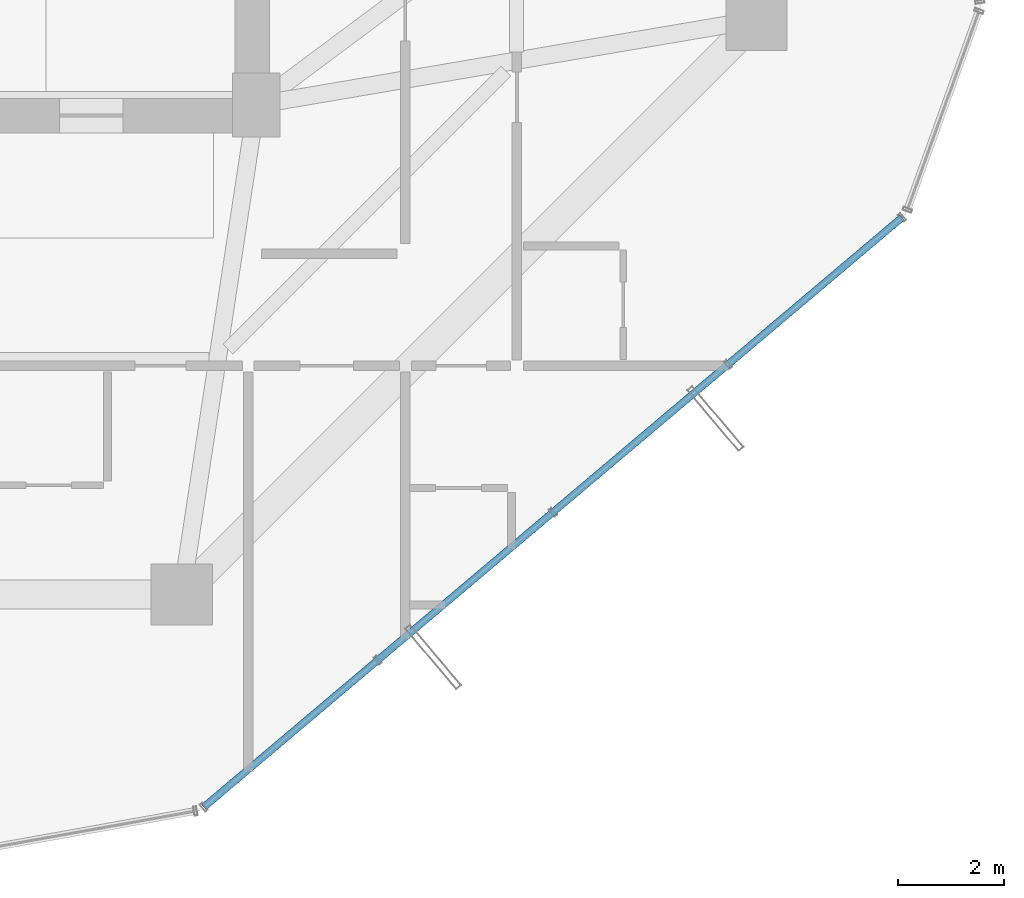
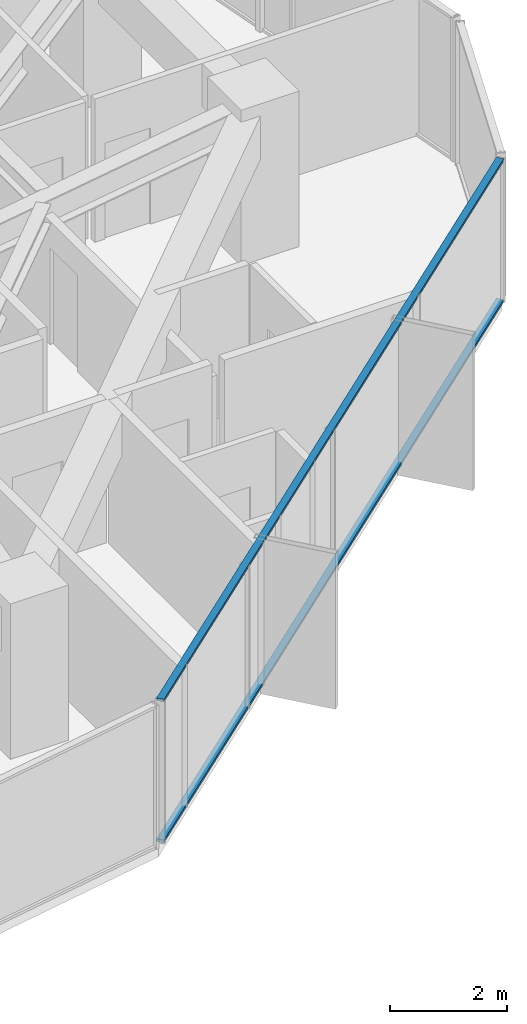
# One storey, part 16 of 36: 2 members, 1 element without a shape of its own.
"""IFC4 building model written with IfcOpenShell, lengths in metres."""

from ifc_helpers import new_model, si_unit, direction, frame, origin, origin_2d, place, context, subcontext, project, spatial, hollow_rectangle, extrude, source, transform, mapped, material, layer, layer_set, material_profile, profile_set, type_object, element, aggregate, save


model = new_model("IFC4")

# Units and contexts
model_context = context("Model", 3, precision=1e-05, world=origin(), true_north=direction((0.0, 1.0)))
body_context = subcontext(model_context, "Body", "Model", "MODEL_VIEW")
ifc_project = project(units=[si_unit("LENGTHUNIT", "METRE"), si_unit("AREAUNIT", "SQUARE_METRE"), si_unit("VOLUMEUNIT", "CUBIC_METRE"), si_unit("PLANEANGLEUNIT", "RADIAN"), si_unit("MASSUNIT", "GRAM", prefix="KILO")], contexts=[model_context])

# Site, building, storey
site_placement = place(None, origin())
site = spatial("IfcSite", under=ifc_project, at=site_placement, CompositionType="ELEMENT")
building_placement = place(site_placement, origin())
building = spatial("IfcBuilding", under=site, at=building_placement, Name="Veraguas Prism Commons", CompositionType="ELEMENT")
storey_placement = place(building_placement, frame((0.0, 0.0, 163.050048828125)))
storey = spatial("IfcBuildingStorey", under=building, at=storey_placement, Name="L46", CompositionType="ELEMENT", Elevation=163.050048828125)

# Curtain wall, members
ifc_material = material(Name="Anodised aluminium EN AW-6063 T6", Category="aluminium")
ifc_layer = layer(ifc_material, 0.169921875, Name="Unitised Flush Curtain Wall Zone 2", Category="aluminium")
ifc_layer_set = layer_set([ifc_layer], Name="Anodised aluminium EN AW-6063 T6")
curtain_wall_type = type_object("IfcCurtainWallType", Name="Unitised Flush Curtain Wall Zone 2", PredefinedType="NOTDEFINED", material=ifc_layer_set)
curtain_wall_placement = place(storey_placement, origin())
curtain_wall = element("IfcCurtainWall", 1, at=curtain_wall_placement, inside=storey, type_object=curtain_wall_type, Name="Tower Facade Curtain Wall L46-F5", PredefinedType="NOTDEFINED")
ifc_material_profile = material_profile(ifc_material, hollow_rectangle(XDim=0.054931640625, YDim=0.135009765625, WallThickness=0.0029296875, at=origin_2d()), Name="AL55X135X3")
ifc_profile_set = profile_set([ifc_material_profile], Name="Anodised aluminium EN AW-6063 T6")
member_type = type_object("IfcMemberType", Name="Curtain Wall Transom Standard AL 55x135x3", PredefinedType="USERDEFINED", material=ifc_profile_set)
shared_shape = source(origin(), body_context, "Body", "SweptSolid", [
    extrude(hollow_rectangle(XDim=0.054931640625, YDim=0.135009765625, WallThickness=0.0029296875, at=origin_2d()), origin(), (0.0, 0.0, 1.0), 17.174560546875),
])
member_1_placement = place(storey_placement, frame((29.8154296875, 3.8037109375, 0.02734375), z_axis=(0.764025400068, 0.645186165421, 0.0), x_axis=(0.0, 0.0, 1.0)))
member_1 = element("IfcMember", 2, at=member_1_placement, type_object=member_type, Name="CW-Z2 Transom 1", ObjectType="TRANSOM", PredefinedType="USERDEFINED", context=body_context, shape_type="MappedRepresentation", body=[
    mapped(shared_shape, transform((0.0, 0.0, 0.0), scale=1.0)),
])
member_2_placement = place(storey_placement, frame((29.8154296875, 3.8037109375, 2.972412109375), z_axis=(0.764025400068, 0.645186165421, 0.0), x_axis=(0.0, 0.0, 1.0)))
member_2 = element("IfcMember", 3, at=member_2_placement, type_object=member_type, Name="CW-Z2 Transom 2", ObjectType="TRANSOM", PredefinedType="USERDEFINED", context=body_context, shape_type="MappedRepresentation", body=[
    mapped(shared_shape, transform((0.0, 0.0, 0.0), scale=1.0)),
])
aggregate(curtain_wall, [member_1, member_2])

save(model, "model.ifc")
